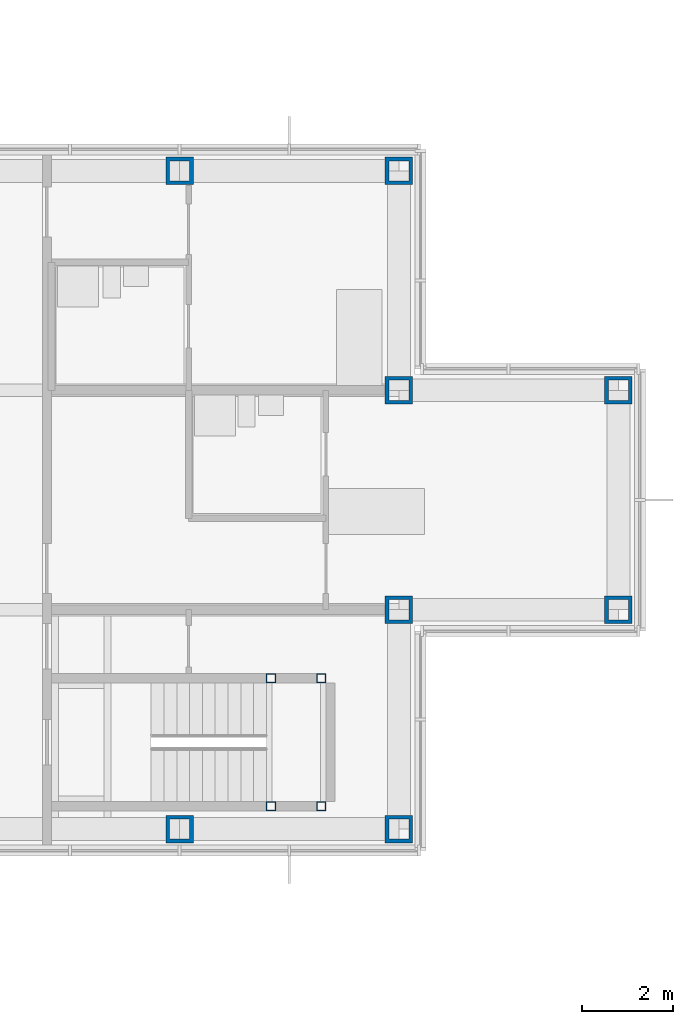
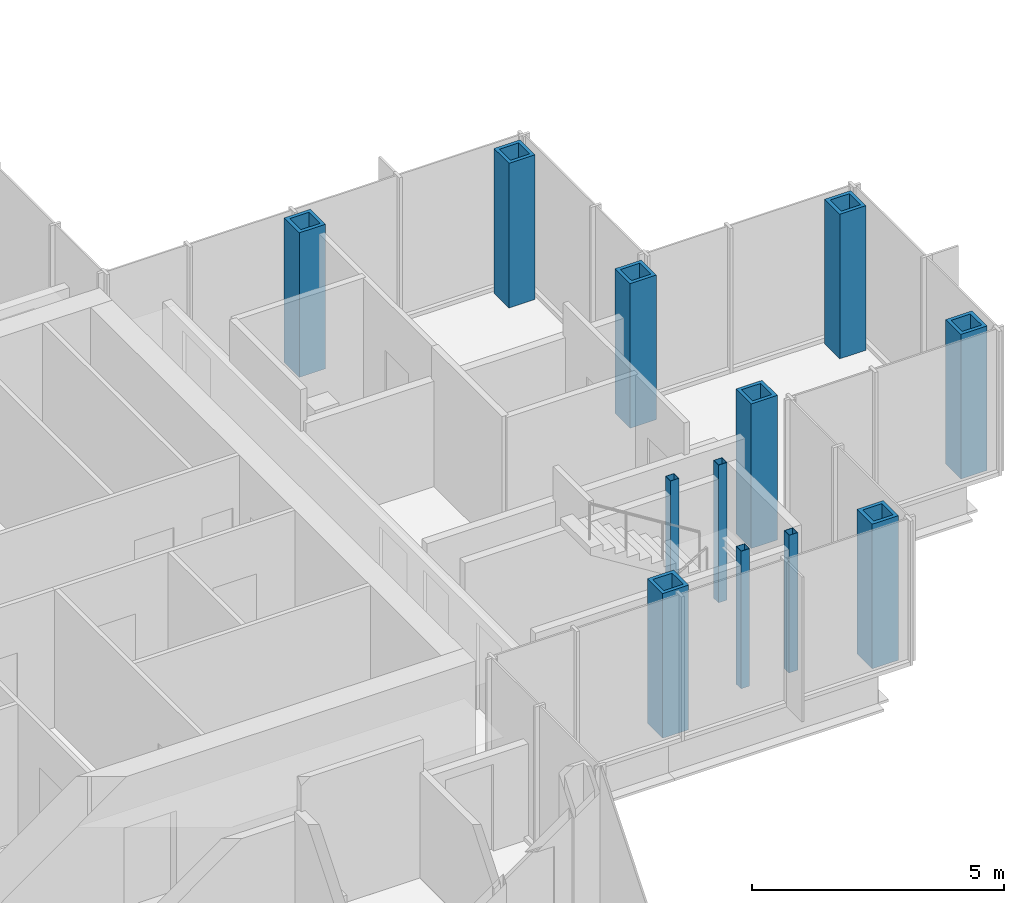
# One storey, part 4 of 17: 12 columns.
"""IFC4 building model written with IfcOpenShell, lengths in metres."""

from ifc_helpers import new_model, si_unit, direction, frame, origin, origin_2d, place, context, subcontext, project, spatial, hollow_rectangle, extrude, material, material_profile, profile_set, type_object, element, save


model = new_model("IFC4")

# Units and contexts
model_context = context("Model", 3, precision=1e-05, world=origin(), true_north=direction((0.0, 1.0)))
body_context = subcontext(model_context, "Body", "Model", "MODEL_VIEW")
ifc_project = project(units=[si_unit("LENGTHUNIT", "METRE"), si_unit("AREAUNIT", "SQUARE_METRE"), si_unit("VOLUMEUNIT", "CUBIC_METRE"), si_unit("PLANEANGLEUNIT", "RADIAN"), si_unit("MASSUNIT", "GRAM", prefix="KILO")], contexts=[model_context])

# Site, building, storey
site_placement = place(None, origin())
site = spatial("IfcSite", under=ifc_project, at=site_placement, CompositionType="ELEMENT")
building_placement = place(site_placement, origin())
building = spatial("IfcBuilding", under=site, at=building_placement, Name="Kvirike Care Tower", CompositionType="ELEMENT")
storey_placement = place(building_placement, frame((0.0, 0.0, 176.0)))
storey = spatial("IfcBuildingStorey", under=building, at=storey_placement, Name="L48", CompositionType="ELEMENT", Elevation=176.0)

# Columns
ifc_material_1 = material(Name="Steel S460", Category="steel")
ifc_material_profile_1 = material_profile(ifc_material_1, hollow_rectangle(XDim=0.60009765625, YDim=0.60009765625, WallThickness=0.080078125, at=origin_2d()), Name="BX 600x600x80")
ifc_profile_set_1 = profile_set([ifc_material_profile_1], Name="Steel S460")
column_type_1 = type_object("IfcColumnType", Name="COLUMN BX 600x600x80", PredefinedType="COLUMN", material=ifc_profile_set_1)
for number, where, z_axis, x_axis, name in (
    (1, (33.60009765625, 28.800048828125, 0.0), (0.0, 0.0, 1.0), (0.0, 1.0, 0.0), "Column G10 L48"),
    (2, (33.60009765625, 43.199951171875, 0.0), (0.0, 0.0, 1.0), (0.0, 1.0, 0.0), "Column K10 L48"),
    (3, (38.39990234375, 28.800048828125, 0.0), (0.0, 0.0, 1.0), (0.0, 1.0, 0.0), "Column G11 L48"),
    (4, (38.39990234375, 33.60009765625, 0.0), (0.0, 0.0, 1.0), (0.0, 1.0, 0.0), "Column H11 L48"),
    (5, (38.39990234375, 38.39990234375, 0.0), (0.0, 0.0, 1.0), (0.0, 1.0, 0.0), "Column J11 L48"),
    (6, (38.39990234375, 43.199951171875, 0.0), (0.0, 0.0, 1.0), (0.0, 1.0, 0.0), "Column K11 L48"),
    (7, (43.199951171875, 33.60009765625, 0.0), (0.0, 0.0, 1.0), (0.0, 1.0, 0.0), "Column H12 L48"),
    (8, (43.199951171875, 38.39990234375, 0.0), (0.0, 0.0, 1.0), (0.0, 1.0, 0.0), "Column J12 L48"),
):
    element("IfcColumn", number, at=place(storey_placement, frame(where, z_axis=z_axis, x_axis=x_axis)), inside=storey, type_object=column_type_1, Name=name, PredefinedType="COLUMN", context=body_context, shape_type="SweptSolid", body=[
        extrude(hollow_rectangle(XDim=0.60009765625, YDim=0.60009765625, WallThickness=0.080078125, at=origin_2d()), origin(), (0.0, 0.0, 1.0), 3.5),
    ])
ifc_material_2 = material(Name="Steel S460", Category="steel")
ifc_material_profile_2 = material_profile(ifc_material_2, hollow_rectangle(XDim=0.199951171875, YDim=0.199951171875, WallThickness=0.008056640625, at=origin_2d()), Name="SHS 200x200x8")
ifc_profile_set_2 = profile_set([ifc_material_profile_2], Name="Steel S460")
column_type_2 = type_object("IfcColumnType", Name="STAIR POST SHS 200x200x8", PredefinedType="COLUMN", material=ifc_profile_set_2)
for number, where, z_axis, x_axis, name in (
    (9, (36.699951171875, 29.300048828125, 0.0), (0.0, 0.0, 1.0), (1.0, 0.0, 0.0), "Stair 2 post 1 L48"),
    (10, (36.699951171875, 32.10009765625, 0.0), (0.0, 0.0, 1.0), (1.0, 0.0, 0.0), "Stair 2 post 2 L48"),
    (11, (35.60009765625, 29.300048828125, 0.0), (0.0, 0.0, 1.0), (1.0, 0.0, 0.0), "Stair 2 post 3 L48"),
    (12, (35.60009765625, 32.10009765625, 0.0), (0.0, 0.0, 1.0), (1.0, 0.0, 0.0), "Stair 2 post 4 L48"),
):
    element("IfcColumn", number, at=place(storey_placement, frame(where, z_axis=z_axis, x_axis=x_axis)), inside=storey, type_object=column_type_2, Name=name, PredefinedType="COLUMN", context=body_context, shape_type="SweptSolid", body=[
        extrude(hollow_rectangle(XDim=0.199951171875, YDim=0.199951171875, WallThickness=0.008056640625, at=origin_2d()), origin(), (0.0, 0.0, 1.0), 3.330078125),
    ])

save(model, "model.ifc")
